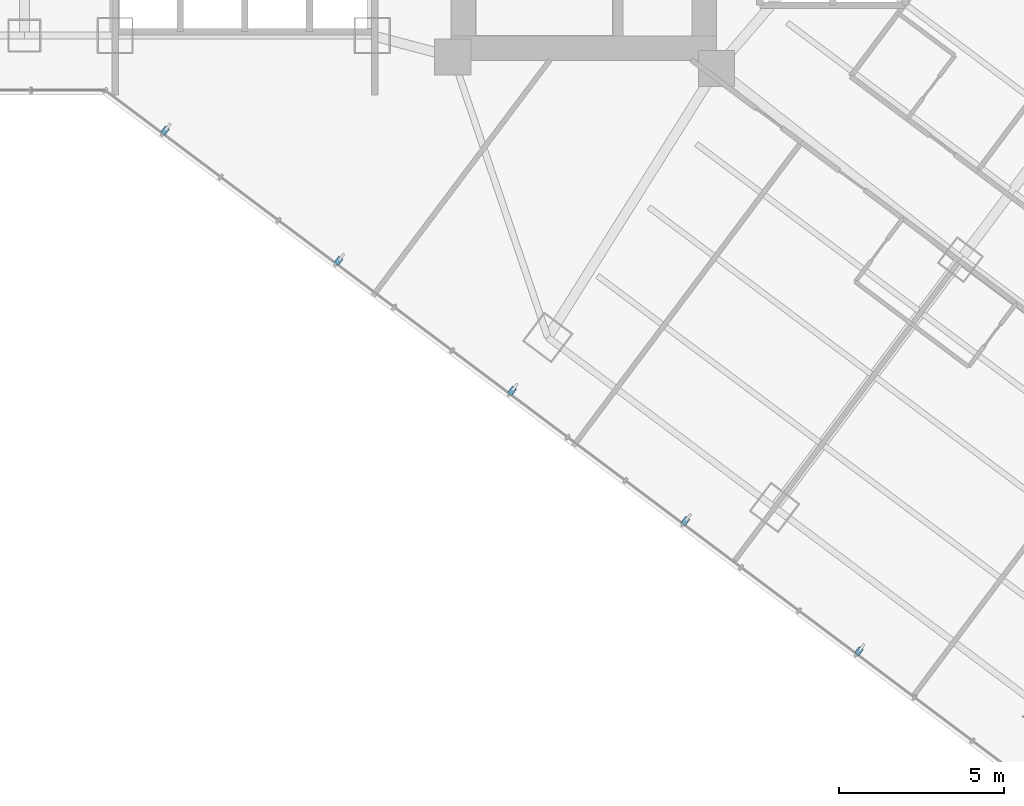
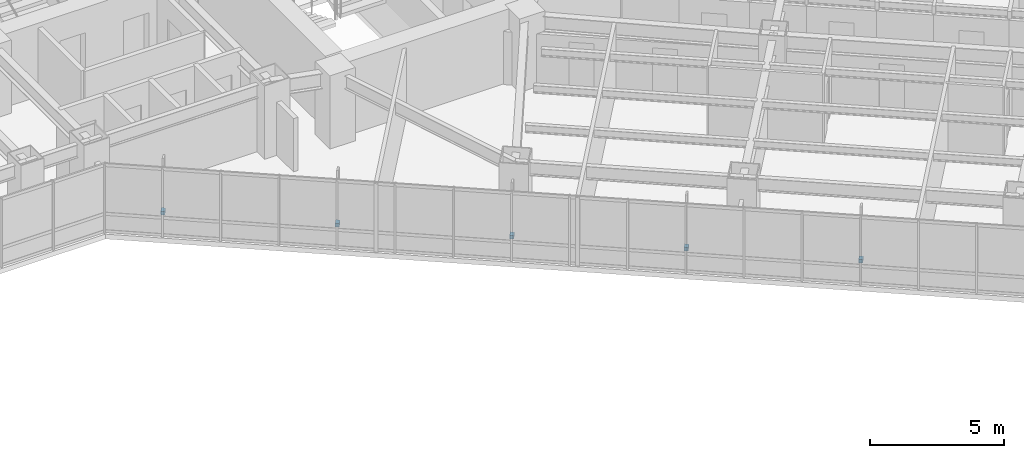
# One storey, part 33 of 38: 5 discrete accessories.
"""IFC4 building model written with IfcOpenShell, lengths in metres."""

import ifcopenshell
import ifcopenshell.guid

model = None  # the IFC model being written
_history = None  # IfcOwnerHistory: only IFC2X3 demands one
_inside = {}  # id of a spatial element -> (the spatial element, [elements in it])
_under = {}  # id of a project, library or spatial element -> (it, [spatial elements below it])
_declared = {}  # id of a project -> (the project, [libraries it declares])
_typed = {}  # id of a type object -> (the type object, [elements of that type])
_made_of = {}  # id of a material, layer set ... -> (it, [elements and type objects made of it])


def new_model(schema):
    """Start an empty IFC model of exactly this schema.

    Asked for "IFC4X3", IfcOpenShell would pick the latest addendum, in which some entities
    have other attributes; the version numbers below select the first issue.
    IFC2X3 requires an IfcOwnerHistory on every rooted entity: one is made here for all.
    """
    global model, _history
    if schema == "IFC4X3":
        model = ifcopenshell.file(schema_version=(4, 3, 0, 0))
    else:
        model = ifcopenshell.file(schema=schema)
    _inside.clear()
    _under.clear()
    _declared.clear()
    _typed.clear()
    _made_of.clear()
    _history = None
    if model.schema == "IFC2X3":
        org = make("IfcOrganization", Name="unknown")
        user = make(
            "IfcPersonAndOrganization",
            ThePerson=make("IfcPerson", FamilyName="unknown"),
            TheOrganization=org,
        )
        app = make(
            "IfcApplication",
            ApplicationDeveloper=org,
            Version="unknown",
            ApplicationFullName="unknown",
            ApplicationIdentifier="unknown",
        )
        _history = make(
            "IfcOwnerHistory",
            OwningUser=user,
            OwningApplication=app,
            ChangeAction="ADDED",
            CreationDate=0,
        )
    return model


def make(cls, **values):
    """One entity of the class cls with the attributes given. An attribute that is None is left unset."""
    return model.create_entity(
        cls, **{name: value for name, value in values.items() if value is not None}
    )


def rooted(cls, **values):
    """An entity with a GlobalId (a new one), such as an element, a storey or a relation."""
    return make(cls, GlobalId=ifcopenshell.guid.new(), OwnerHistory=_history, **values)


def si_unit(unit_type, name, prefix=None):
    """IfcSIUnit, for example si_unit("LENGTHUNIT", "METRE", prefix="MILLI")."""
    return make("IfcSIUnit", UnitType=unit_type, Prefix=prefix, Name=name)


def assignment(units):
    """IfcUnitAssignment: the units of a project."""
    return None if units is None else make("IfcUnitAssignment", Units=units)


def point(xyz):
    """IfcCartesianPoint."""
    return None if xyz is None else make("IfcCartesianPoint", Coordinates=xyz)


def direction(xyz):
    """IfcDirection."""
    return None if xyz is None else make("IfcDirection", DirectionRatios=xyz)


def frame(location, z_axis=None, x_axis=None):
    """IfcAxis2Placement3D, a coordinate frame: its origin and axes. An axis left out is left unset."""
    return make(
        "IfcAxis2Placement3D",
        Location=point(location),
        Axis=direction(z_axis),
        RefDirection=direction(x_axis),
    )


def frame_2d(location, x_axis=None):
    """IfcAxis2Placement2D, a coordinate frame in the plane: its origin and x axis."""
    return make(
        "IfcAxis2Placement2D", Location=point(location), RefDirection=direction(x_axis)
    )


def origin():
    """The frame at (0, 0, 0) with its axes left unset."""
    return frame((0.0, 0.0, 0.0))


def origin_2d():
    """The frame at (0, 0) in the plane with its x axis left unset."""
    return frame_2d((0.0, 0.0))


def place(relative_to, where):
    """IfcLocalPlacement: puts the frame where relative to a parent placement (None: the world)."""
    return make(
        "IfcLocalPlacement", PlacementRelTo=relative_to, RelativePlacement=where
    )


def context(
    kind, dimensions, precision=None, world=None, true_north=None, identifier=None
):
    """IfcGeometricRepresentationContext, for example the 3D "Model" context."""
    return make(
        "IfcGeometricRepresentationContext",
        ContextIdentifier=identifier,
        ContextType=kind,
        CoordinateSpaceDimension=dimensions,
        Precision=precision,
        WorldCoordinateSystem=world,
        TrueNorth=true_north,
    )


def subcontext(parent, identifier, kind, view, scale=None):
    """IfcGeometricRepresentationSubContext, for example "Body" below "Model"."""
    return make(
        "IfcGeometricRepresentationSubContext",
        ContextIdentifier=identifier,
        ContextType=kind,
        ParentContext=parent,
        TargetScale=scale,
        TargetView=view,
    )


def project(units=None, contexts=None):
    """IfcProject with its units and contexts."""
    return rooted(
        "IfcProject",
        Name="project",
        RepresentationContexts=contexts,
        UnitsInContext=assignment(units),
    )


def spatial(cls, under=None, at=None, **own):
    """A site, building, storey or space (cls), placed at a placement, below another one or the project."""
    s = rooted(cls, ObjectPlacement=at, **own)
    if under is not None:
        _under.setdefault(under.id(), (under, []))[1].append(s)
    return s


def profile(cls, at=None, kind="AREA", **sizes):
    """A parametric profile (cls). Its sizes go by their IFC names, for example OverallWidth=200.0."""
    return make(cls, ProfileType=kind, Position=at, **sizes)


def rectangle(**sizes):
    """IfcRectangleProfileDef."""
    return profile("IfcRectangleProfileDef", **sizes)


def extrude(swept, where, along, depth):
    """IfcExtrudedAreaSolid: the profile swept, set in the frame where, extruded along a direction by depth."""
    return make(
        "IfcExtrudedAreaSolid",
        SweptArea=swept,
        Position=where,
        ExtrudedDirection=direction(along),
        Depth=depth,
    )


def shape(context_of_items, identifier, shape_type, items):
    """IfcShapeRepresentation: the items that make up one representation, for example the "Body"."""
    return make(
        "IfcShapeRepresentation",
        ContextOfItems=context_of_items,
        RepresentationIdentifier=identifier,
        RepresentationType=shape_type,
        Items=items,
    )


def material(Name=None, Category=None):
    """IfcMaterial."""
    return make("IfcMaterial", Name=Name, Category=Category)


def made_of(thing, what):
    """Note that an element or type object is made of a material, layer set ...; save() writes the relation."""
    if what is not None:
        _made_of.setdefault(what.id(), (what, []))[1].append(thing)
    return thing


def type_object(cls, material=None, **own):
    """A type object (cls), such as IfcWallType, which elements share."""
    return made_of(rooted(cls, **own), material)


def element(
    cls,
    number,
    at=None,
    inside=None,
    cuts=None,
    type_object=None,
    material=None,
    context=None,
    identifier="Body",
    shape_type=None,
    held_by="IfcProductDefinitionShape",
    body=None,
    shapes=None,
    **own,
):
    """One element of the class cls, such as IfcWall. Its Tag is "e" and its number.

    at: its placement. inside: the storey or other place that contains it. cuts: it is an
    opening in that element (IfcRelVoidsElement). A single representation is given by context,
    identifier, shape_type and body (its items); several are given by shapes. held_by: the class
    of the entity that holds the representations. save() writes the other relations.
    """
    e = rooted(cls, Tag="e%d" % number, ObjectPlacement=at, **own)
    if body is not None:
        shapes = [shape(context, identifier, shape_type, body)]
    if shapes is not None:
        e.Representation = make(held_by, Representations=shapes)
    if inside is not None:
        _inside.setdefault(inside.id(), (inside, []))[1].append(e)
    if cuts is not None:
        rooted(
            "IfcRelVoidsElement", RelatingBuildingElement=cuts, RelatedOpeningElement=e
        )
    if type_object is not None:
        _typed.setdefault(type_object.id(), (type_object, []))[1].append(e)
    return made_of(e, material)


def aggregate(whole, parts):
    """IfcRelAggregates: a whole, such as a stair, and the parts it consists of."""
    return rooted("IfcRelAggregates", RelatingObject=whole, RelatedObjects=parts)


def save(model, path):
    """Write the relations noted so far, then the file.

    IfcRelAggregates (storeys below a building ...), IfcRelContainedInSpatialStructure (elements
    in a storey), IfcRelDefinesByType, IfcRelAssociatesMaterial and IfcRelDeclares: one each for
    every whole, place, type object, material and project.
    """
    for whole, parts in _under.values():
        aggregate(whole, parts)
    for where, things in _inside.values():
        rooted(
            "IfcRelContainedInSpatialStructure",
            RelatedElements=things,
            RelatingStructure=where,
        )
    for kind, things in _typed.values():
        rooted("IfcRelDefinesByType", RelatedObjects=things, RelatingType=kind)
    for what, things in _made_of.values():
        rooted("IfcRelAssociatesMaterial", RelatedObjects=things, RelatingMaterial=what)
    for by, libraries in _declared.values():
        rooted("IfcRelDeclares", RelatingContext=by, RelatedDefinitions=libraries)
    model.write(path)


model = new_model("IFC4")

# Units and contexts
model_context = context("Model", 3, precision=1e-05, world=origin(), true_north=direction((0.0, 1.0)))
body_context = subcontext(model_context, "Body", "Model", "MODEL_VIEW")
ifc_project = project(units=[si_unit("LENGTHUNIT", "METRE"), si_unit("AREAUNIT", "SQUARE_METRE"), si_unit("VOLUMEUNIT", "CUBIC_METRE"), si_unit("PLANEANGLEUNIT", "RADIAN"), si_unit("MASSUNIT", "GRAM", prefix="KILO")], contexts=[model_context])

# Site, building, storey
site_placement = place(None, origin())
site = spatial("IfcSite", under=ifc_project, at=site_placement, CompositionType="ELEMENT")
building_placement = place(site_placement, origin())
building = spatial("IfcBuilding", under=site, at=building_placement, Name="Hatsunagi Terrace Concourse", CompositionType="ELEMENT")
storey_placement = place(building_placement, frame((0.0, 0.0, 63.39990234375)))
storey = spatial("IfcBuildingStorey", under=building, at=storey_placement, Name="L16", CompositionType="ELEMENT", Elevation=63.39990234375)

# Discrete accessories
ifc_material = material(Name="Stainless Steel SUS316 Bracket", Category="steel")
discrete_accessory_type = type_object("IfcDiscreteAccessoryType", Name="FacadeScreenSupportBracket_SS", PredefinedType="BRACKET", material=ifc_material)
for number, where, z_axis, x_axis, name in (
    (1, (48.12109375, 6.52197265625, 0.97021484375), (0.0, 0.0, 1.0), (-0.800003116929, 0.599995844072, 0.0), "Terracotta Screen Bracket BRK-01"),
    (2, (42.85693359375, 10.469970703125, 0.97021484375), (0.0, 0.0, 1.0), (-0.800003116929, 0.599995844072, 0.0), "Terracotta Screen Bracket BRK-01"),
    (3, (37.593994140625, 14.4169921875, 0.97021484375), (0.0, 0.0, 1.0), (-0.800003116929, 0.599995844072, 0.0), "Terracotta Screen Bracket BRK-01"),
    (4, (32.3310546875, 18.364990234375, 0.97021484375), (0.0, 0.0, 1.0), (-0.800003116929, 0.599995844072, 0.0), "Terracotta Screen Bracket BRK-01"),
    (5, (27.06689453125, 22.31201171875, 0.97021484375), (0.0, 0.0, 1.0), (-0.800003116929, 0.599995844072, 0.0), "Terracotta Screen Bracket BRK-01"),
):
    element("IfcDiscreteAccessory", number, at=place(storey_placement, frame(where, z_axis=z_axis, x_axis=x_axis)), inside=storey, type_object=discrete_accessory_type, Name=name, PredefinedType="BRACKET", context=body_context, shape_type="SweptSolid", body=[
        extrude(rectangle(XDim=0.159912109375, YDim=0.239990234375, at=origin_2d()), origin(), (0.0, 0.0, 1.0), 0.159912109375),
    ])

save(model, "model.ifc")
